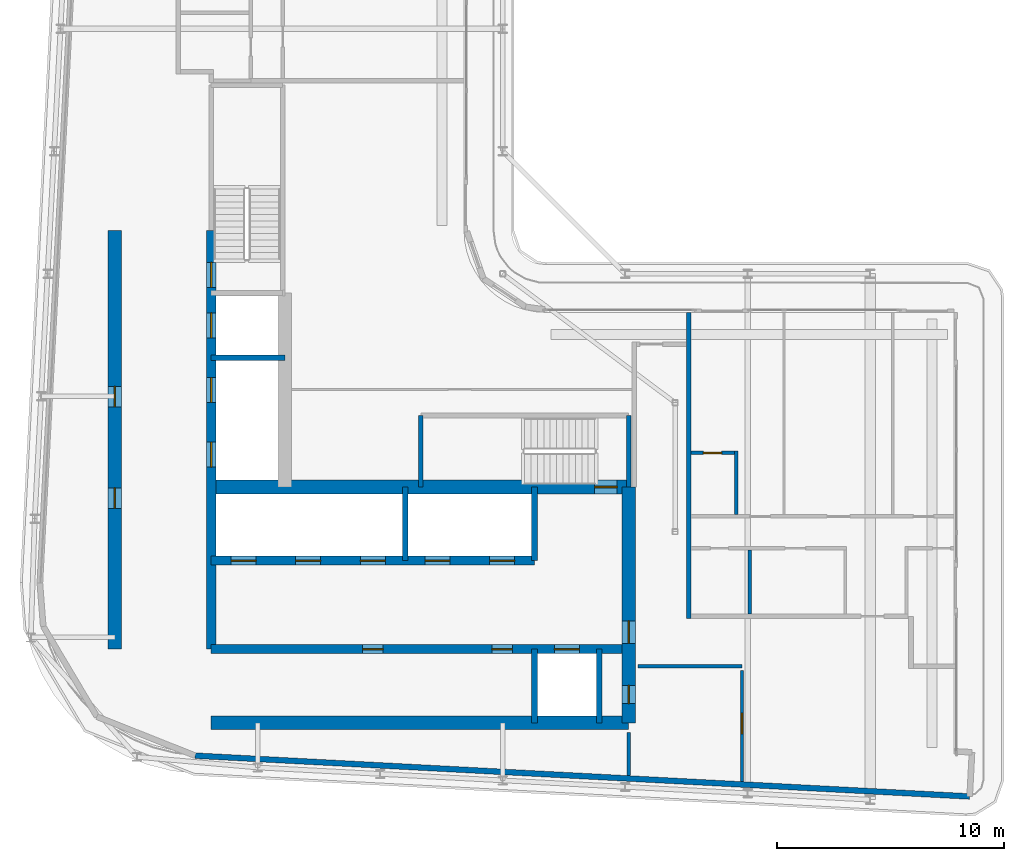
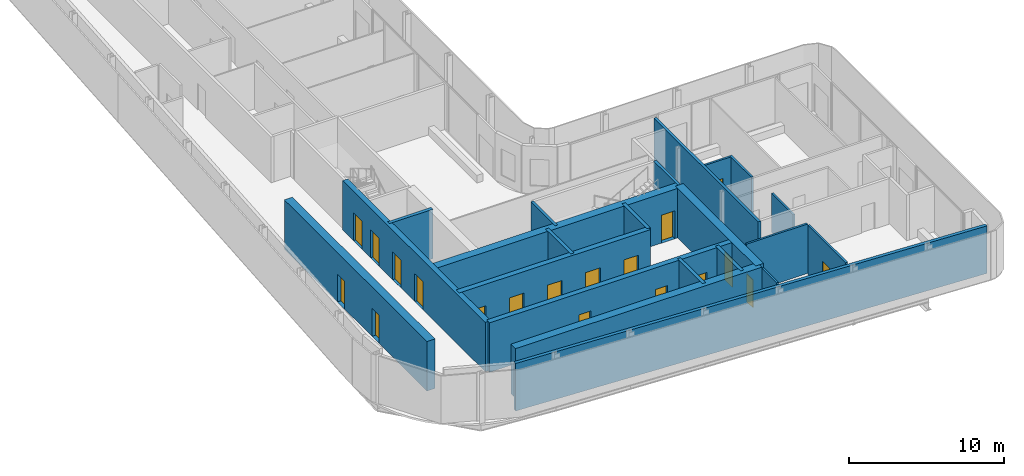
# One storey, part 11 of 21: 22 walls, 19 doors, 19 openings.
"""IFC4 building model written with IfcOpenShell, lengths in metres."""

from ifc_helpers import new_model, si_unit, direction, frame, frame_2d, origin, place, context, subcontext, project, spatial, rectangle, extrude, source, transform, mapped, material, layer, layer_set, type_object, element, fill, save


model = new_model("IFC4")

# Units and contexts
model_context = context("Model", 3, precision=1e-05, world=origin(), true_north=direction((0.0, 1.0)))
body_context = subcontext(model_context, "Body", "Model", "MODEL_VIEW")
ifc_project = project(units=[si_unit("LENGTHUNIT", "METRE"), si_unit("AREAUNIT", "SQUARE_METRE"), si_unit("VOLUMEUNIT", "CUBIC_METRE"), si_unit("PLANEANGLEUNIT", "RADIAN"), si_unit("MASSUNIT", "GRAM", prefix="KILO")], contexts=[model_context])

# Site, building, storey
site_placement = place(None, origin())
site = spatial("IfcSite", under=ifc_project, at=site_placement, CompositionType="ELEMENT")
building_placement = place(site_placement, origin())
building = spatial("IfcBuilding", under=site, at=building_placement, Name="Kheshtan School and Residences Tower", CompositionType="ELEMENT")
storey_placement = place(building_placement, frame((0.0, 0.0, 321.5)))
storey = spatial("IfcBuildingStorey", under=building, at=storey_placement, Name="L76", CompositionType="ELEMENT", Elevation=321.5)

# Wall, openings, doors
ifc_material_1 = material(Name="Concrete C50/60", Category="concrete")
ifc_layer_1 = layer(ifc_material_1, 0.39990234375)
ifc_layer_set_1 = layer_set([ifc_layer_1], Name="Core wall 400 Concrete C50/60")
wall_type_1 = type_object("IfcWallType", Name="Core wall 400 Concrete C50/60", PredefinedType="SHEAR", material=ifc_layer_set_1)
wall_1_placement = place(storey_placement, frame((34.75, 29.050048828125, 0.0), z_axis=(0.0, 0.0, 1.0), x_axis=(1.0, 0.0, 0.0)))
wall_1 = element("IfcWall", 1, at=wall_1_placement, inside=storey, type_object=wall_type_1, Name="Core wall CW-HALL-S1", PredefinedType="SHEAR", context=body_context, shape_type="SweptSolid", body=[
    extrude(rectangle(XDim=18.39990234375, YDim=0.39990234375, at=frame_2d((9.199951171875, 0.0))), origin(), (0.0, 0.0, 1.0), 3.89990234375),
])
opening_1_placement = place(wall_1_placement, frame((15.125, 0.0, 0.0)))
opening_1 = element("IfcOpeningElement", 2, at=opening_1_placement, cuts=wall_1, Name="Opening LD", PredefinedType="OPENING", context=body_context, shape_type="SweptSolid", body=[
    extrude(rectangle(XDim=1.10009765625, YDim=2.199951171875, at=frame_2d((0.550048828125, 1.10009765625))), frame((0.0, 0.2099609375, 0.0), z_axis=(0.0, -1.0, 0.0), x_axis=(1.0, 0.0, 0.0)), (0.0, 0.0, 1.0), 0.419921875),
])
opening_2_placement = place(wall_1_placement, frame((6.675048828125, 0.0, 0.0)))
opening_2 = element("IfcOpeningElement", 3, at=opening_2_placement, cuts=wall_1, Name="Opening SR90", PredefinedType="OPENING", context=body_context, shape_type="SweptSolid", body=[
    extrude(rectangle(XDim=0.89990234375, YDim=2.199951171875, at=frame_2d((0.449951171875, 1.10009765625))), frame((0.0, 0.2099609375, 0.0), z_axis=(0.0, -1.0, 0.0), x_axis=(1.0, 0.0, 0.0)), (0.0, 0.0, 1.0), 0.419921875),
])
opening_3_placement = place(wall_1_placement, frame((12.375, 0.0, 0.0)))
opening_3 = element("IfcOpeningElement", 4, at=opening_3_placement, cuts=wall_1, Name="Opening SR90", PredefinedType="OPENING", context=body_context, shape_type="SweptSolid", body=[
    extrude(rectangle(XDim=0.89990234375, YDim=2.199951171875, at=frame_2d((0.449951171875, 1.10009765625))), frame((0.0, 0.2099609375, 0.0), z_axis=(0.0, -1.0, 0.0), x_axis=(1.0, 0.0, 0.0)), (0.0, 0.0, 1.0), 0.419921875),
])
ifc_material_2 = material(Name="Stainless steel door leaves", Category="steel")
door_type_1 = type_object("IfcDoorType", Name="Lift landing door 1100", OperationType="SLIDING_TO_LEFT", PredefinedType="DOOR", material=ifc_material_2)
shared_shape_1 = source(origin(), body_context, "Body", "SweptSolid", [
    extrude(rectangle(XDim=1.10009765625, YDim=2.199951171875, at=frame_2d((0.550048828125, 1.10009765625))), frame((0.0, 0.02490234375, 0.0), z_axis=(0.0, -1.0, 0.0), x_axis=(1.0, 0.0, 0.0)), (0.0, 0.0, 1.0), 0.050048828125),
])
door_1_placement = place(opening_1_placement, origin())
door_1 = element("IfcDoor", 5, at=door_1_placement, inside=storey, type_object=door_type_1, Name="Lift FFL2 landing door", OperationType="SLIDING_TO_LEFT", OverallHeight=2.199951171875, OverallWidth=1.10009765625, PredefinedType="DOOR", context=body_context, shape_type="MappedRepresentation", body=[
    mapped(shared_shape_1, transform((0.0, 0.0, 0.0), x_axis=(1.0, 0.0, 0.0), y_axis=(0.0, 1.0, 0.0), z_axis=(0.0, 0.0, 1.0), scale=1.0)),
])
fill(opening_1, door_1)
ifc_material_3 = material(Name="Steel door leaf, galvanised", Category="steel")
door_type_2 = type_object("IfcDoorType", Name="Service room door 900 steel 90 min", OperationType="SINGLE_SWING_LEFT", PredefinedType="DOOR", material=ifc_material_3)
shared_shape_2 = source(origin(), body_context, "Body", "SweptSolid", [
    extrude(rectangle(XDim=0.89990234375, YDim=2.199951171875, at=frame_2d((0.449951171875, 1.10009765625))), frame((0.0, 0.02490234375, 0.0), z_axis=(0.0, -1.0, 0.0), x_axis=(1.0, 0.0, 0.0)), (0.0, 0.0, 1.0), 0.050048828125),
])
door_2_placement = place(opening_2_placement, origin())
door_2 = element("IfcDoor", 6, at=door_2_placement, inside=storey, type_object=door_type_2, Name="Service room door", OperationType="SINGLE_SWING_RIGHT", OverallHeight=2.199951171875, OverallWidth=0.89990234375, PredefinedType="DOOR", context=body_context, shape_type="MappedRepresentation", body=[
    mapped(shared_shape_2, transform((0.0, 0.0, 0.0), x_axis=(1.0, 0.0, 0.0), y_axis=(0.0, 1.0, 0.0), z_axis=(0.0, 0.0, 1.0), scale=1.0)),
])
fill(opening_2, door_2)
door_3_placement = place(opening_3_placement, origin())
door_3 = element("IfcDoor", 7, at=door_3_placement, inside=storey, type_object=door_type_2, Name="Service room door", OperationType="SINGLE_SWING_LEFT", OverallHeight=2.199951171875, OverallWidth=0.89990234375, PredefinedType="DOOR", context=body_context, shape_type="MappedRepresentation", body=[
    mapped(shared_shape_2, transform((0.0, 0.0, 0.0), x_axis=(1.0, 0.0, 0.0), y_axis=(0.0, 1.0, 0.0), z_axis=(0.0, 0.0, 1.0), scale=1.0)),
])
fill(opening_3, door_3)

wall_2_placement = place(storey_placement, frame((34.75, 32.949951171875, 0.0), z_axis=(0.0, 0.0, 1.0), x_axis=(1.0, 0.0, 0.0)))
wall_2 = element("IfcWall", 8, at=wall_2_placement, inside=storey, type_object=wall_type_1, Name="Core wall CW-HALL-S2", PredefinedType="SHEAR", context=body_context, shape_type="SweptSolid", body=[
    extrude(rectangle(XDim=14.25, YDim=0.39990234375, at=frame_2d((7.125, 0.0))), origin(), (0.0, 0.0, 1.0), 3.89990234375),
])
opening_4_placement = place(wall_2_placement, frame((0.875, 0.0, 0.0)))
opening_4 = element("IfcOpeningElement", 9, at=opening_4_placement, cuts=wall_2, Name="Opening LD", PredefinedType="OPENING", context=body_context, shape_type="SweptSolid", body=[
    extrude(rectangle(XDim=1.10009765625, YDim=2.199951171875, at=frame_2d((0.550048828125, 1.10009765625))), frame((0.0, 0.2099609375, 0.0), z_axis=(0.0, -1.0, 0.0), x_axis=(1.0, 0.0, 0.0)), (0.0, 0.0, 1.0), 0.419921875),
])
opening_5_placement = place(wall_2_placement, frame((3.72509765625, 0.0, 0.0)))
opening_5 = element("IfcOpeningElement", 10, at=opening_5_placement, cuts=wall_2, Name="Opening LD", PredefinedType="OPENING", context=body_context, shape_type="SweptSolid", body=[
    extrude(rectangle(XDim=1.10009765625, YDim=2.199951171875, at=frame_2d((0.550048828125, 1.10009765625))), frame((0.0, 0.2099609375, 0.0), z_axis=(0.0, -1.0, 0.0), x_axis=(1.0, 0.0, 0.0)), (0.0, 0.0, 1.0), 0.419921875),
])
opening_6_placement = place(wall_2_placement, frame((6.574951171875, 0.0, 0.0)))
opening_6 = element("IfcOpeningElement", 11, at=opening_6_placement, cuts=wall_2, Name="Opening LD", PredefinedType="OPENING", context=body_context, shape_type="SweptSolid", body=[
    extrude(rectangle(XDim=1.10009765625, YDim=2.199951171875, at=frame_2d((0.550048828125, 1.10009765625))), frame((0.0, 0.2099609375, 0.0), z_axis=(0.0, -1.0, 0.0), x_axis=(1.0, 0.0, 0.0)), (0.0, 0.0, 1.0), 0.419921875),
])
opening_7_placement = place(wall_2_placement, frame((9.425048828125, 0.0, 0.0)))
opening_7 = element("IfcOpeningElement", 12, at=opening_7_placement, cuts=wall_2, Name="Opening LD", PredefinedType="OPENING", context=body_context, shape_type="SweptSolid", body=[
    extrude(rectangle(XDim=1.10009765625, YDim=2.199951171875, at=frame_2d((0.550048828125, 1.10009765625))), frame((0.0, 0.2099609375, 0.0), z_axis=(0.0, -1.0, 0.0), x_axis=(1.0, 0.0, 0.0)), (0.0, 0.0, 1.0), 0.419921875),
])
opening_8_placement = place(wall_2_placement, frame((12.27490234375, 0.0, 0.0)))
opening_8 = element("IfcOpeningElement", 13, at=opening_8_placement, cuts=wall_2, Name="Opening LD", PredefinedType="OPENING", context=body_context, shape_type="SweptSolid", body=[
    extrude(rectangle(XDim=1.10009765625, YDim=2.199951171875, at=frame_2d((0.550048828125, 1.10009765625))), frame((0.0, 0.2099609375, 0.0), z_axis=(0.0, -1.0, 0.0), x_axis=(1.0, 0.0, 0.0)), (0.0, 0.0, 1.0), 0.419921875),
])
door_4_placement = place(opening_4_placement, origin())
door_4 = element("IfcDoor", 14, at=door_4_placement, inside=storey, type_object=door_type_1, Name="Lift P12 landing door", OperationType="SLIDING_TO_LEFT", OverallHeight=2.199951171875, OverallWidth=1.10009765625, PredefinedType="DOOR", context=body_context, shape_type="MappedRepresentation", body=[
    mapped(shared_shape_1, transform((0.0, 0.0, 0.0), x_axis=(1.0, 0.0, 0.0), y_axis=(0.0, 1.0, 0.0), z_axis=(0.0, 0.0, 1.0), scale=1.0)),
])
fill(opening_4, door_4)
door_5_placement = place(opening_5_placement, origin())
door_5 = element("IfcDoor", 15, at=door_5_placement, inside=storey, type_object=door_type_1, Name="Lift P13 landing door", OperationType="SLIDING_TO_LEFT", OverallHeight=2.199951171875, OverallWidth=1.10009765625, PredefinedType="DOOR", context=body_context, shape_type="MappedRepresentation", body=[
    mapped(shared_shape_1, transform((0.0, 0.0, 0.0), x_axis=(1.0, 0.0, 0.0), y_axis=(0.0, 1.0, 0.0), z_axis=(0.0, 0.0, 1.0), scale=1.0)),
])
fill(opening_5, door_5)
door_6_placement = place(opening_6_placement, origin())
door_6 = element("IfcDoor", 16, at=door_6_placement, inside=storey, type_object=door_type_1, Name="Lift P14 landing door", OperationType="SLIDING_TO_LEFT", OverallHeight=2.199951171875, OverallWidth=1.10009765625, PredefinedType="DOOR", context=body_context, shape_type="MappedRepresentation", body=[
    mapped(shared_shape_1, transform((0.0, 0.0, 0.0), x_axis=(1.0, 0.0, 0.0), y_axis=(0.0, 1.0, 0.0), z_axis=(0.0, 0.0, 1.0), scale=1.0)),
])
fill(opening_6, door_6)
door_7_placement = place(opening_7_placement, origin())
door_7 = element("IfcDoor", 17, at=door_7_placement, inside=storey, type_object=door_type_1, Name="Lift P15 landing door", OperationType="SLIDING_TO_LEFT", OverallHeight=2.199951171875, OverallWidth=1.10009765625, PredefinedType="DOOR", context=body_context, shape_type="MappedRepresentation", body=[
    mapped(shared_shape_1, transform((0.0, 0.0, 0.0), x_axis=(1.0, 0.0, 0.0), y_axis=(0.0, 1.0, 0.0), z_axis=(0.0, 0.0, 1.0), scale=1.0)),
])
fill(opening_7, door_7)
door_8_placement = place(opening_8_placement, origin())
door_8 = element("IfcDoor", 18, at=door_8_placement, inside=storey, type_object=door_type_1, Name="Lift P16 landing door", OperationType="SLIDING_TO_LEFT", OverallHeight=2.199951171875, OverallWidth=1.10009765625, PredefinedType="DOOR", context=body_context, shape_type="MappedRepresentation", body=[
    mapped(shared_shape_1, transform((0.0, 0.0, 0.0), x_axis=(1.0, 0.0, 0.0), y_axis=(0.0, 1.0, 0.0), z_axis=(0.0, 0.0, 1.0), scale=1.0)),
])
fill(opening_8, door_8)

wall_3_placement = place(storey_placement, frame((34.75, 29.050048828125, 0.0), z_axis=(0.0, 0.0, 1.0), x_axis=(0.0, 1.0, 0.0)))
wall_3 = element("IfcWall", 19, at=wall_3_placement, inside=storey, type_object=wall_type_1, Name="Core wall CW-HALL-W1", PredefinedType="SHEAR", context=body_context, shape_type="SweptSolid", body=[
    extrude(rectangle(XDim=18.449951171875, YDim=0.39990234375, at=frame_2d((9.22509765625, 0.0))), origin(), (0.0, 0.0, 1.0), 3.89990234375),
])
opening_9_placement = place(wall_3_placement, frame((8.02490234375, 0.0, 0.0)))
opening_9 = element("IfcOpeningElement", 20, at=opening_9_placement, cuts=wall_3, Name="Opening LD", PredefinedType="OPENING", context=body_context, shape_type="SweptSolid", body=[
    extrude(rectangle(XDim=1.10009765625, YDim=2.199951171875, at=frame_2d((0.550048828125, 1.10009765625))), frame((0.0, 0.2099609375, 0.0), z_axis=(0.0, -1.0, 0.0), x_axis=(1.0, 0.0, 0.0)), (0.0, 0.0, 1.0), 0.419921875),
])
opening_10_placement = place(wall_3_placement, frame((10.875, 0.0, 0.0)))
opening_10 = element("IfcOpeningElement", 21, at=opening_10_placement, cuts=wall_3, Name="Opening LD", PredefinedType="OPENING", context=body_context, shape_type="SweptSolid", body=[
    extrude(rectangle(XDim=1.10009765625, YDim=2.199951171875, at=frame_2d((0.550048828125, 1.10009765625))), frame((0.0, 0.2099609375, 0.0), z_axis=(0.0, -1.0, 0.0), x_axis=(1.0, 0.0, 0.0)), (0.0, 0.0, 1.0), 0.419921875),
])
opening_11_placement = place(wall_3_placement, frame((13.72509765625, 0.0, 0.0)))
opening_11 = element("IfcOpeningElement", 22, at=opening_11_placement, cuts=wall_3, Name="Opening LD", PredefinedType="OPENING", context=body_context, shape_type="SweptSolid", body=[
    extrude(rectangle(XDim=1.10009765625, YDim=2.199951171875, at=frame_2d((0.550048828125, 1.10009765625))), frame((0.0, 0.2099609375, 0.0), z_axis=(0.0, -1.0, 0.0), x_axis=(1.0, 0.0, 0.0)), (0.0, 0.0, 1.0), 0.419921875),
])
opening_12_placement = place(wall_3_placement, frame((15.949951171875, 0.0, 0.0)))
opening_12 = element("IfcOpeningElement", 23, at=opening_12_placement, cuts=wall_3, Name="Opening ST2D", PredefinedType="OPENING", context=body_context, shape_type="SweptSolid", body=[
    extrude(rectangle(XDim=1.10009765625, YDim=2.199951171875, at=frame_2d((0.550048828125, 1.10009765625))), frame((0.0, 0.2099609375, 0.0), z_axis=(0.0, -1.0, 0.0), x_axis=(1.0, 0.0, 0.0)), (0.0, 0.0, 1.0), 0.419921875),
])
door_9_placement = place(opening_9_placement, origin())
door_9 = element("IfcDoor", 24, at=door_9_placement, inside=storey, type_object=door_type_1, Name="Lift SV1 landing door", OperationType="SLIDING_TO_LEFT", OverallHeight=2.199951171875, OverallWidth=1.10009765625, PredefinedType="DOOR", context=body_context, shape_type="MappedRepresentation", body=[
    mapped(shared_shape_1, transform((0.0, 0.0, 0.0), x_axis=(1.0, 0.0, 0.0), y_axis=(0.0, 1.0, 0.0), z_axis=(0.0, 0.0, 1.0), scale=1.0)),
])
fill(opening_9, door_9)
door_10_placement = place(opening_10_placement, origin())
door_10 = element("IfcDoor", 25, at=door_10_placement, inside=storey, type_object=door_type_1, Name="Lift SV2 landing door", OperationType="SLIDING_TO_LEFT", OverallHeight=2.199951171875, OverallWidth=1.10009765625, PredefinedType="DOOR", context=body_context, shape_type="MappedRepresentation", body=[
    mapped(shared_shape_1, transform((0.0, 0.0, 0.0), x_axis=(1.0, 0.0, 0.0), y_axis=(0.0, 1.0, 0.0), z_axis=(0.0, 0.0, 1.0), scale=1.0)),
])
fill(opening_10, door_10)
door_11_placement = place(opening_11_placement, origin())
door_11 = element("IfcDoor", 26, at=door_11_placement, inside=storey, type_object=door_type_1, Name="Lift FFL1 landing door", OperationType="SLIDING_TO_LEFT", OverallHeight=2.199951171875, OverallWidth=1.10009765625, PredefinedType="DOOR", context=body_context, shape_type="MappedRepresentation", body=[
    mapped(shared_shape_1, transform((0.0, 0.0, 0.0), x_axis=(1.0, 0.0, 0.0), y_axis=(0.0, 1.0, 0.0), z_axis=(0.0, 0.0, 1.0), scale=1.0)),
])
fill(opening_11, door_11)
door_type_3 = type_object("IfcDoorType", Name="Stair door 1100 steel 90 min", OperationType="SINGLE_SWING_LEFT", PredefinedType="DOOR", material=ifc_material_3)
shared_shape_3 = source(origin(), body_context, "Body", "SweptSolid", [
    extrude(rectangle(XDim=1.10009765625, YDim=2.199951171875, at=frame_2d((0.550048828125, 1.10009765625))), frame((0.0, 0.02490234375, 0.0), z_axis=(0.0, -1.0, 0.0), x_axis=(1.0, 0.0, 0.0)), (0.0, 0.0, 1.0), 0.050048828125),
])
door_12_placement = place(opening_12_placement, origin())
door_12 = element("IfcDoor", 27, at=door_12_placement, inside=storey, type_object=door_type_3, Name="Stair ST2 door", OperationType="SINGLE_SWING_RIGHT", OverallHeight=2.199951171875, OverallWidth=1.10009765625, PredefinedType="DOOR", context=body_context, shape_type="MappedRepresentation", body=[
    mapped(shared_shape_3, transform((0.0, 0.0, 0.0), x_axis=(1.0, 0.0, 0.0), y_axis=(0.0, 1.0, 0.0), z_axis=(0.0, 0.0, 1.0), scale=1.0)),
])
fill(opening_12, door_12)

# Wall
ifc_material_4 = material(Name="Concrete C60/75", Category="concrete")
ifc_layer_2 = layer(ifc_material_4, 0.60009765625)
ifc_layer_set_2 = layer_set([ifc_layer_2], Name="Core wall 600 Concrete C60/75")
wall_type_2 = type_object("IfcWallType", Name="Core wall 600 Concrete C60/75", PredefinedType="SHEAR", material=ifc_layer_set_2)
wall_4_placement = place(storey_placement, frame((34.75, 25.800048828125, 0.0), z_axis=(0.0, 0.0, 1.0), x_axis=(1.0, 0.0, 0.0)))
element("IfcWall", 28, at=wall_4_placement, inside=storey, type_object=wall_type_2, Name="Core wall CW-REAR-S", PredefinedType="SHEAR", context=body_context, shape_type="SweptSolid", body=[
    extrude(rectangle(XDim=18.39990234375, YDim=0.60009765625, at=frame_2d((9.199951171875, 0.0))), origin(), (0.0, 0.0, 1.0), 3.89990234375),
])

# Wall, opening, door
wall_5_placement = place(storey_placement, frame((34.75, 36.199951171875, 0.0), z_axis=(0.0, 0.0, 1.0), x_axis=(1.0, 0.0, 0.0)))
wall_5 = element("IfcWall", 29, at=wall_5_placement, inside=storey, type_object=wall_type_2, Name="Core wall CW-FRONT-S", PredefinedType="SHEAR", context=body_context, shape_type="SweptSolid", body=[
    extrude(rectangle(XDim=18.39990234375, YDim=0.60009765625, at=frame_2d((9.199951171875, 0.0))), origin(), (0.0, 0.0, 1.0), 3.89990234375),
])
opening_13_placement = place(wall_5_placement, frame((16.89990234375, 0.0, 0.0)))
opening_13 = element("IfcOpeningElement", 30, at=opening_13_placement, cuts=wall_5, Name="Opening ST1D", PredefinedType="OPENING", context=body_context, shape_type="SweptSolid", body=[
    extrude(rectangle(XDim=1.0, YDim=2.199951171875, at=frame_2d((0.5, 1.10009765625))), frame((0.0, 0.31005859375, 0.0), z_axis=(0.0, -1.0, 0.0), x_axis=(1.0, 0.0, 0.0)), (0.0, 0.0, 1.0), 0.6201171875),
])
shared_shape_4 = source(origin(), body_context, "Body", "SweptSolid", [
    extrude(rectangle(XDim=1.0, YDim=2.199951171875, at=frame_2d((0.5, 1.10009765625))), frame((0.0, 0.02490234375, 0.0), z_axis=(0.0, -1.0, 0.0), x_axis=(1.0, 0.0, 0.0)), (0.0, 0.0, 1.0), 0.050048828125),
])
door_13_placement = place(opening_13_placement, origin())
door_13 = element("IfcDoor", 31, at=door_13_placement, inside=storey, type_object=door_type_3, Name="Stair ST1 door", OperationType="SINGLE_SWING_RIGHT", OverallHeight=2.199951171875, OverallWidth=1.0, PredefinedType="DOOR", context=body_context, shape_type="MappedRepresentation", body=[
    mapped(shared_shape_4, transform((0.0, 0.0, 0.0), x_axis=(1.0, 0.0, 0.0), y_axis=(0.0, 1.0, 0.0), z_axis=(0.0, 0.0, 1.0), scale=1.0)),
])
fill(opening_13, door_13)

# Wall, openings, doors
wall_6_placement = place(storey_placement, frame((30.5, 29.050048828125, 0.0), z_axis=(0.0, 0.0, 1.0), x_axis=(0.0, 1.0, 0.0)))
wall_6 = element("IfcWall", 32, at=wall_6_placement, inside=storey, type_object=wall_type_2, Name="Core wall CW-REAR-W", PredefinedType="SHEAR", context=body_context, shape_type="SweptSolid", body=[
    extrude(rectangle(XDim=18.449951171875, YDim=0.60009765625, at=frame_2d((9.22509765625, 0.0))), origin(), (0.0, 0.0, 1.0), 3.89990234375),
])
opening_14_placement = place(wall_6_placement, frame((6.2099609375, 0.0, 0.0)))
opening_14 = element("IfcOpeningElement", 33, at=opening_14_placement, cuts=wall_6, Name="Opening SR90", PredefinedType="OPENING", context=body_context, shape_type="SweptSolid", body=[
    extrude(rectangle(XDim=0.89990234375, YDim=2.199951171875, at=frame_2d((0.449951171875, 1.10009765625))), frame((0.0, 0.31005859375, 0.0), z_axis=(0.0, -1.0, 0.0), x_axis=(1.0, 0.0, 0.0)), (0.0, 0.0, 1.0), 0.6201171875),
])
opening_15_placement = place(wall_6_placement, frame((10.68408203125, 0.0, 0.0)))
opening_15 = element("IfcOpeningElement", 34, at=opening_15_placement, cuts=wall_6, Name="Opening SR90", PredefinedType="OPENING", context=body_context, shape_type="SweptSolid", body=[
    extrude(rectangle(XDim=0.89990234375, YDim=2.199951171875, at=frame_2d((0.449951171875, 1.10009765625))), frame((0.0, 0.31005859375, 0.0), z_axis=(0.0, -1.0, 0.0), x_axis=(1.0, 0.0, 0.0)), (0.0, 0.0, 1.0), 0.6201171875),
])
door_14_placement = place(opening_14_placement, origin())
door_14 = element("IfcDoor", 35, at=door_14_placement, inside=storey, type_object=door_type_2, Name="Service room door", OperationType="SINGLE_SWING_RIGHT", OverallHeight=2.199951171875, OverallWidth=0.89990234375, PredefinedType="DOOR", context=body_context, shape_type="MappedRepresentation", body=[
    mapped(shared_shape_2, transform((0.0, 0.0, 0.0), x_axis=(1.0, 0.0, 0.0), y_axis=(0.0, 1.0, 0.0), z_axis=(0.0, 0.0, 1.0), scale=1.0)),
])
fill(opening_14, door_14)
door_15_placement = place(opening_15_placement, origin())
door_15 = element("IfcDoor", 36, at=door_15_placement, inside=storey, type_object=door_type_2, Name="Service room door", OperationType="SINGLE_SWING_LEFT", OverallHeight=2.199951171875, OverallWidth=0.89990234375, PredefinedType="DOOR", context=body_context, shape_type="MappedRepresentation", body=[
    mapped(shared_shape_2, transform((0.0, 0.0, 0.0), x_axis=(1.0, 0.0, 0.0), y_axis=(0.0, 1.0, 0.0), z_axis=(0.0, 0.0, 1.0), scale=1.0)),
])
fill(opening_15, door_15)

wall_7_placement = place(storey_placement, frame((53.14990234375, 25.800048828125, 0.0), z_axis=(0.0, 0.0, 1.0), x_axis=(0.0, 1.0, 0.0)))
wall_7 = element("IfcWall", 37, at=wall_7_placement, inside=storey, type_object=wall_type_2, Name="Core wall CW-EAST", PredefinedType="SHEAR", context=body_context, shape_type="SweptSolid", body=[
    extrude(rectangle(XDim=10.39990234375, YDim=0.60009765625, at=frame_2d((5.199951171875, 0.0))), origin(), (0.0, 0.0, 1.0), 3.89990234375),
])
opening_16_placement = place(wall_7_placement, frame((0.85009765625, 0.0, 0.0)))
opening_16 = element("IfcOpeningElement", 38, at=opening_16_placement, cuts=wall_7, Name="Opening SR80", PredefinedType="OPENING", context=body_context, shape_type="SweptSolid", body=[
    extrude(rectangle(XDim=0.800048828125, YDim=2.199951171875, at=frame_2d((0.39990234375, 1.10009765625))), frame((0.0, 0.31005859375, 0.0), z_axis=(0.0, -1.0, 0.0), x_axis=(1.0, 0.0, 0.0)), (0.0, 0.0, 1.0), 0.6201171875),
])
opening_17_placement = place(wall_7_placement, frame((3.5, 0.0, 0.0)))
opening_17 = element("IfcOpeningElement", 39, at=opening_17_placement, cuts=wall_7, Name="Opening SD91", PredefinedType="OPENING", context=body_context, shape_type="SweptSolid", body=[
    extrude(rectangle(XDim=1.0, YDim=2.199951171875, at=frame_2d((0.5, 1.10009765625))), frame((0.0, 0.31005859375, 0.0), z_axis=(0.0, -1.0, 0.0), x_axis=(1.0, 0.0, 0.0)), (0.0, 0.0, 1.0), 0.6201171875),
])
door_type_4 = type_object("IfcDoorType", Name="Service room door 800 steel 90 min", OperationType="SINGLE_SWING_LEFT", PredefinedType="DOOR", material=ifc_material_3)
shared_shape_5 = source(origin(), body_context, "Body", "SweptSolid", [
    extrude(rectangle(XDim=0.800048828125, YDim=2.199951171875, at=frame_2d((0.39990234375, 1.10009765625))), frame((0.0, 0.02490234375, 0.0), z_axis=(0.0, -1.0, 0.0), x_axis=(1.0, 0.0, 0.0)), (0.0, 0.0, 1.0), 0.050048828125),
])
door_16_placement = place(opening_16_placement, origin())
door_16 = element("IfcDoor", 40, at=door_16_placement, inside=storey, type_object=door_type_4, Name="Service room door", OperationType="SINGLE_SWING_LEFT", OverallHeight=2.199951171875, OverallWidth=0.800048828125, PredefinedType="DOOR", context=body_context, shape_type="MappedRepresentation", body=[
    mapped(shared_shape_5, transform((0.0, 0.0, 0.0), x_axis=(1.0, 0.0, 0.0), y_axis=(0.0, 1.0, 0.0), z_axis=(0.0, 0.0, 1.0), scale=1.0)),
])
fill(opening_16, door_16)
door_type_5 = type_object("IfcDoorType", Name="Firefighting lobby door 1000 steel 90 min", OperationType="SINGLE_SWING_LEFT", PredefinedType="DOOR", material=ifc_material_3)
shared_shape_6 = source(origin(), body_context, "Body", "SweptSolid", [
    extrude(rectangle(XDim=1.0, YDim=2.199951171875, at=frame_2d((0.5, 1.10009765625))), frame((0.0, 0.02490234375, 0.0), z_axis=(0.0, -1.0, 0.0), x_axis=(1.0, 0.0, 0.0)), (0.0, 0.0, 1.0), 0.050048828125),
])
door_17_placement = place(opening_17_placement, origin())
door_17 = element("IfcDoor", 41, at=door_17_placement, inside=storey, type_object=door_type_5, Name="Firefighting lobby door", OperationType="SINGLE_SWING_LEFT", OverallHeight=2.199951171875, OverallWidth=1.0, PredefinedType="DOOR", context=body_context, shape_type="MappedRepresentation", body=[
    mapped(shared_shape_6, transform((0.0, 0.0, 0.0), x_axis=(1.0, 0.0, 0.0), y_axis=(0.0, 1.0, 0.0), z_axis=(0.0, 0.0, 1.0), scale=1.0)),
])
fill(opening_17, door_17)

# Walls
ifc_material_5 = material(Name="Concrete C40/50 with ceramic cladding and mineral wool insulation", Category="concrete")
ifc_layer_3 = layer(ifc_material_5, 0.25)
ifc_layer_set_3 = layer_set([ifc_layer_3], Name="External wall 250 ceramic clad")
wall_type_3 = type_object("IfcWallType", Name="External wall 250 ceramic clad", PredefinedType="SOLIDWALL", material=ifc_layer_set_3)
wall_8_placement = place(storey_placement, frame((68.18603515625, 22.554931640625, 0.0), z_axis=(0.0, 0.0, 1.0), x_axis=(-0.998616468095, 0.052584690257, 0.0)))
element("IfcWall", 42, at=wall_8_placement, inside=storey, type_object=wall_type_3, Name="External wall L76 16", PredefinedType="SOLIDWALL", context=body_context, shape_type="SweptSolid", body=[
    extrude(rectangle(XDim=34.1943359375, YDim=0.25, at=frame_2d((17.09716796875, 0.0))), origin(), (0.0, 0.0, 1.0), 3.75),
])
ifc_material_6 = material(Name="Fire-board shaft wall system")
ifc_layer_4 = layer(ifc_material_6, 0.14990234375)
ifc_layer_set_4 = layer_set([ifc_layer_4], Name="Service room wall 150")
wall_type_4 = type_object("IfcWallType", Name="Service room wall 150", PredefinedType="PARTITIONING", material=ifc_layer_set_4)
wall_9_placement = place(storey_placement, frame((53.570068359375, 28.300048828125, 0.0), z_axis=(0.0, 0.0, 1.0), x_axis=(1.0, 0.0, 0.0)))
element("IfcWall", 43, at=wall_9_placement, inside=storey, type_object=wall_type_4, Name="Service room wall", PredefinedType="PARTITIONING", context=body_context, shape_type="SweptSolid", body=[
    extrude(rectangle(XDim=4.579833984375, YDim=0.14990234375, at=frame_2d((2.2900390625, 0.0))), origin(), (0.0, 0.0, 1.0), 3.89990234375),
])
wall_10_placement = place(storey_placement, frame((53.14990234375, 23.47509765625, 0.0), z_axis=(0.0, 0.0, 1.0), x_axis=(0.0, 1.0, 0.0)))
element("IfcWall", 44, at=wall_10_placement, inside=storey, type_object=wall_type_4, Name="Service room wall", PredefinedType="PARTITIONING", context=body_context, shape_type="SweptSolid", body=[
    extrude(rectangle(XDim=1.90478515625, YDim=0.14990234375, at=frame_2d((0.952392578125, 0.0))), origin(), (0.0, 0.0, 1.0), 3.89990234375),
])

# Wall, opening, door
wall_11_placement = place(storey_placement, frame((58.14990234375, 23.2109375, 0.0), z_axis=(0.0, 0.0, 1.0), x_axis=(0.0, 1.0, 0.0)))
wall_11 = element("IfcWall", 45, at=wall_11_placement, inside=storey, type_object=wall_type_4, Name="Service room wall", PredefinedType="PARTITIONING", context=body_context, shape_type="SweptSolid", body=[
    extrude(rectangle(XDim=4.89404296875, YDim=0.14990234375, at=frame_2d((2.447021484375, 0.0))), origin(), (0.0, 0.0, 1.0), 3.89990234375),
])
opening_18_placement = place(wall_11_placement, frame((2.10888671875, 0.0, 0.0)))
opening_18 = element("IfcOpeningElement", 46, at=opening_18_placement, cuts=wall_11, Name="Opening SR90", PredefinedType="OPENING", context=body_context, shape_type="SweptSolid", body=[
    extrude(rectangle(XDim=0.89990234375, YDim=2.199951171875, at=frame_2d((0.449951171875, 1.10009765625))), frame((0.0, 0.0849609375, 0.0), z_axis=(0.0, -1.0, 0.0), x_axis=(1.0, 0.0, 0.0)), (0.0, 0.0, 1.0), 0.169921875),
])
door_18_placement = place(opening_18_placement, origin())
door_18 = element("IfcDoor", 47, at=door_18_placement, inside=storey, type_object=door_type_2, Name="Service room door", OperationType="SINGLE_SWING_LEFT", OverallHeight=2.199951171875, OverallWidth=0.89990234375, PredefinedType="DOOR", context=body_context, shape_type="MappedRepresentation", body=[
    mapped(shared_shape_2, transform((0.0, 0.0, 0.0), x_axis=(1.0, 0.0, 0.0), y_axis=(0.0, 1.0, 0.0), z_axis=(0.0, 0.0, 1.0), scale=1.0)),
])
fill(opening_18, door_18)

# Walls
ifc_layer_5 = layer(ifc_material_6, 0.25)
ifc_layer_set_5 = layer_set([ifc_layer_5], Name="Shaft lining wall 250")
wall_type_5 = type_object("IfcWallType", Name="Shaft lining wall 250", PredefinedType="PARTITIONING", material=ifc_layer_set_5)
for number, where, z_axis, x_axis, name in (
    (48, (43.300048828125, 32.949951171875, 0.0), (0.0, 0.0, 1.0), (0.0, 1.0, 0.0), "Shaft lining wall"),
    (49, (49.0, 25.800048828125, 0.0), (0.0, 0.0, 1.0), (0.0, 1.0, 0.0), "Shaft lining wall"),
    (50, (49.0, 32.949951171875, 0.0), (0.0, 0.0, 1.0), (0.0, 1.0, 0.0), "Shaft lining wall"),
    (51, (51.85009765625, 25.800048828125, 0.0), (0.0, 0.0, 1.0), (0.0, 1.0, 0.0), "Shaft lining wall"),
    (52, (34.75, 41.89990234375, 0.0), (0.0, 0.0, 1.0), (1.0, 0.0, 0.0), "Shaft lining wall"),
):
    element("IfcWall", number, at=place(storey_placement, frame(where, z_axis=z_axis, x_axis=x_axis)), inside=storey, type_object=wall_type_5, Name=name, PredefinedType="PARTITIONING", context=body_context, shape_type="SweptSolid", body=[
        extrude(rectangle(XDim=3.25, YDim=0.25, at=frame_2d((1.625, 0.0))), origin(), (0.0, 0.0, 1.0), 3.89990234375),
    ])
ifc_material_7 = material(Name="Concrete C40/50", Category="concrete")
ifc_layer_6 = layer(ifc_material_7, 0.199951171875)
ifc_layer_set_6 = layer_set([ifc_layer_6], Name="Stair enclosure wall 200 Concrete C40/50")
wall_type_6 = type_object("IfcWallType", Name="Stair enclosure wall 200 Concrete C40/50", PredefinedType="SHEAR", material=ifc_layer_set_6)
for number, where, z_axis, x_axis, name in (
    (53, (43.989990234375, 36.199951171875, 0.0), (0.0, 0.0, 1.0), (0.0, 1.0, 0.0), "Stair enclosure wall ST1"),
    (54, (53.14990234375, 36.199951171875, 0.0), (0.0, 0.0, 1.0), (0.0, 1.0, 0.0), "Stair enclosure wall ST1"),
):
    element("IfcWall", number, at=place(storey_placement, frame(where, z_axis=z_axis, x_axis=x_axis)), inside=storey, type_object=wall_type_6, Name=name, PredefinedType="SHEAR", context=body_context, shape_type="SweptSolid", body=[
        extrude(rectangle(XDim=3.150146484375, YDim=0.199951171875, at=frame_2d((1.5751953125, 0.0))), origin(), (0.0, 0.0, 1.0), 3.89990234375),
    ])
ifc_material_8 = material(Name="Twin gypsum board on steel studs with mineral wool", Category="steel")
ifc_layer_7 = layer(ifc_material_8, 0.199951171875)
ifc_layer_set_7 = layer_set([ifc_layer_7], Name="Unit demising wall 200")
wall_type_7 = type_object("IfcWallType", Name="Unit demising wall 200", PredefinedType="PARTITIONING", material=ifc_layer_set_7)
wall_12_placement = place(storey_placement, frame((55.800048828125, 30.39990234375, 0.0), z_axis=(0.0, 0.0, 1.0), x_axis=(0.0, 1.0, 0.0)))
element("IfcWall", 55, at=wall_12_placement, inside=storey, type_object=wall_type_7, Name="Partition L76-038", PredefinedType="PARTITIONING", context=body_context, shape_type="SweptSolid", body=[
    extrude(rectangle(XDim=13.5, YDim=0.199951171875, at=frame_2d((6.75, 0.0))), origin(), (0.0, 0.0, 1.0), 3.60009765625),
])

# Wall, opening, door
ifc_material_9 = material(Name="Moisture-resistant gypsum board on steel studs", Category="steel")
ifc_layer_8 = layer(ifc_material_9, 0.14990234375)
ifc_layer_set_8 = layer_set([ifc_layer_8], Name="Wet-room partition 150")
wall_type_8 = type_object("IfcWallType", Name="Wet-room partition 150", PredefinedType="PARTITIONING", material=ifc_layer_set_8)
wall_13_placement = place(storey_placement, frame((55.89990234375, 37.699951171875, 0.0), z_axis=(0.0, 0.0, 1.0), x_axis=(1.0, 0.0, 0.0)))
wall_13 = element("IfcWall", 56, at=wall_13_placement, inside=storey, type_object=wall_type_8, Name="Partition L76-042", PredefinedType="PARTITIONING", context=body_context, shape_type="SweptSolid", body=[
    extrude(rectangle(XDim=1.925048828125, YDim=0.14990234375, at=frame_2d((0.96240234375, 0.0))), origin(), (0.0, 0.0, 1.0), 3.60009765625),
])
opening_19_placement = place(wall_13_placement, frame((0.550048828125, 0.0, 0.0)))
opening_19 = element("IfcOpeningElement", 57, at=opening_19_placement, cuts=wall_13, Name="Opening D75-003", PredefinedType="OPENING", context=body_context, shape_type="SweptSolid", body=[
    extrude(rectangle(XDim=0.800048828125, YDim=2.10009765625, at=frame_2d((0.39990234375, 1.050048828125))), frame((0.0, 0.0849609375, 0.0), z_axis=(0.0, -1.0, 0.0), x_axis=(1.0, 0.0, 0.0)), (0.0, 0.0, 1.0), 0.169921875),
])
ifc_material_10 = material(Name="Veneered timber door leaf", Category="wood")
door_type_6 = type_object("IfcDoorType", Name="Door 800 x 2100", OperationType="SINGLE_SWING_LEFT", PredefinedType="DOOR", material=ifc_material_10)
shared_shape_7 = source(origin(), body_context, "Body", "SweptSolid", [
    extrude(rectangle(XDim=0.800048828125, YDim=2.10009765625, at=frame_2d((0.39990234375, 1.050048828125))), frame((0.0, 0.02490234375, 0.0), z_axis=(0.0, -1.0, 0.0), x_axis=(1.0, 0.0, 0.0)), (0.0, 0.0, 1.0), 0.050048828125),
])
door_19_placement = place(opening_19_placement, origin())
door_19 = element("IfcDoor", 58, at=door_19_placement, inside=storey, type_object=door_type_6, Name="Door D75-003", OperationType="SINGLE_SWING_LEFT", OverallHeight=2.10009765625, OverallWidth=0.800048828125, PredefinedType="DOOR", context=body_context, shape_type="MappedRepresentation", body=[
    mapped(shared_shape_7, transform((0.0, 0.0, 0.0), x_axis=(1.0, 0.0, 0.0), y_axis=(0.0, 1.0, 0.0), z_axis=(0.0, 0.0, 1.0), scale=1.0)),
])
fill(opening_19, door_19)

# Walls
wall_14_placement = place(storey_placement, frame((57.89990234375, 34.97509765625, 0.0), z_axis=(0.0, 0.0, 1.0), x_axis=(0.0, 1.0, 0.0)))
element("IfcWall", 59, at=wall_14_placement, inside=storey, type_object=wall_type_8, Name="Partition L76-043", PredefinedType="PARTITIONING", context=body_context, shape_type="SweptSolid", body=[
    extrude(rectangle(XDim=2.7998046875, YDim=0.14990234375, at=frame_2d((1.39990234375, 0.0))), origin(), (0.0, 0.0, 1.0), 3.60009765625),
])
wall_15_placement = place(storey_placement, frame((58.5, 30.60009765625, 0.0), z_axis=(0.0, 0.0, 1.0), x_axis=(0.0, 1.0, 0.0)))
element("IfcWall", 60, at=wall_15_placement, inside=storey, type_object=wall_type_8, Name="Partition L76-044", PredefinedType="PARTITIONING", context=body_context, shape_type="SweptSolid", body=[
    extrude(rectangle(XDim=2.824951171875, YDim=0.14990234375, at=frame_2d((1.41259765625, 0.0))), origin(), (0.0, 0.0, 1.0), 3.072021484375),
])

save(model, "model.ifc")
